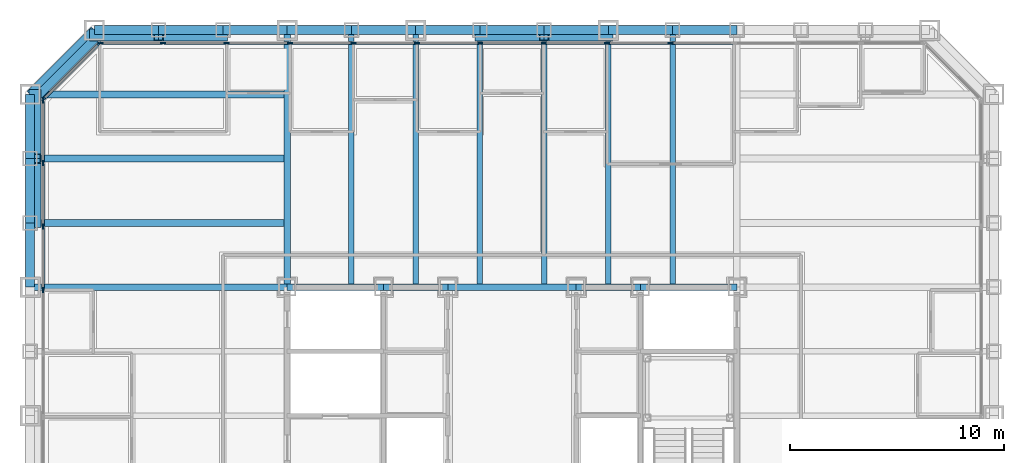
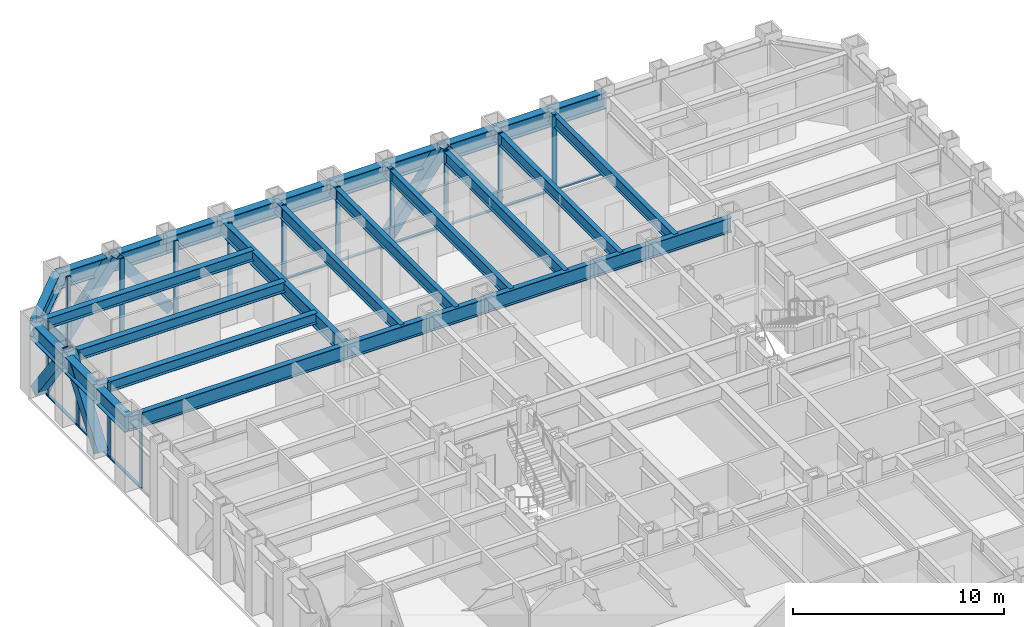
# One storey, part 5 of 16: 37 members, 30 beams, 3 elements without a shape of their own.
"""IFC4 building model written with IfcOpenShell, lengths in metres."""

from ifc_helpers import new_model, si_unit, direction, frame, origin, origin_2d, place, context, subcontext, project, spatial, rectangle, hollow_rectangle, i_section, extrude, material, layer, layer_set, material_profile, profile_set, type_object, element, aggregate, save


model = new_model("IFC4")

# Units and contexts
model_context = context("Model", 3, precision=1e-05, world=origin(), true_north=direction((0.0, 1.0)))
body_context = subcontext(model_context, "Body", "Model", "MODEL_VIEW")
ifc_project = project(units=[si_unit("LENGTHUNIT", "METRE"), si_unit("AREAUNIT", "SQUARE_METRE"), si_unit("VOLUMEUNIT", "CUBIC_METRE"), si_unit("PLANEANGLEUNIT", "RADIAN"), si_unit("MASSUNIT", "GRAM", prefix="KILO")], contexts=[model_context])

# Site, building, storey
site_placement = place(None, origin())
site = spatial("IfcSite", under=ifc_project, at=site_placement, CompositionType="ELEMENT")
building_placement = place(site_placement, origin())
building = spatial("IfcBuilding", under=site, at=building_placement, Name="Chuquiago Exchange Tower", CompositionType="ELEMENT")
storey_placement = place(building_placement, frame((0.0, 0.0, 51.300048828125)))
storey = spatial("IfcBuildingStorey", under=building, at=storey_placement, Name="L10", CompositionType="ELEMENT", Elevation=51.300048828125)

# Beams
ifc_material_1 = material(Name="Steel ASTM A992", Category="steel")
ifc_material_profile_1 = material_profile(ifc_material_1, i_section(OverallWidth=0.2919921875, OverallDepth=0.8583984375, WebThickness=0.01708984375, FlangeThickness=0.031005859375, at=origin_2d()), Name="W33X169")
ifc_profile_set_1 = profile_set([ifc_material_profile_1], Name="Steel ASTM A992")
beam_type_1 = type_object("IfcBeamType", Name="B3 W33X169", PredefinedType="BEAM", material=ifc_profile_set_1)
beam_1_placement = place(storey_placement, frame((12.0, 33.0, 3.610595703125), z_axis=(1.0, 0.0, 0.0), x_axis=(0.0, 1.0, 0.0)))
element("IfcBeam", 1, at=beam_1_placement, inside=storey, type_object=beam_type_1, Name="CB-L11-12_33-16.5_33", PredefinedType="BEAM", context=body_context, shape_type="SweptSolid", body=[
    extrude(i_section(OverallWidth=0.2919921875, OverallDepth=0.8583984375, WebThickness=0.01708984375, FlangeThickness=0.031005859375, at=origin_2d()), origin(), (0.0, 0.0, 1.0), 4.5),
])
beam_2_placement = place(storey_placement, frame((16.5, 33.0, 3.610595703125), z_axis=(1.0, 0.0, 0.0), x_axis=(0.0, 1.0, 0.0)))
element("IfcBeam", 2, at=beam_2_placement, inside=storey, type_object=beam_type_1, Name="CB-L11-16.5_33-19.5_33", PredefinedType="BEAM", context=body_context, shape_type="SweptSolid", body=[
    extrude(i_section(OverallWidth=0.2919921875, OverallDepth=0.8583984375, WebThickness=0.01708984375, FlangeThickness=0.031005859375, at=origin_2d()), origin(), (0.0, 0.0, 1.0), 3.0),
])
beam_3_placement = place(storey_placement, frame((19.5, 33.0, 3.610595703125), z_axis=(1.0, 0.0, 0.0), x_axis=(0.0, 1.0, 0.0)))
element("IfcBeam", 3, at=beam_3_placement, inside=storey, type_object=beam_type_1, Name="CB-L11-19.5_33-25.5_33", PredefinedType="BEAM", context=body_context, shape_type="SweptSolid", body=[
    extrude(i_section(OverallWidth=0.2919921875, OverallDepth=0.8583984375, WebThickness=0.01708984375, FlangeThickness=0.031005859375, at=origin_2d()), origin(), (0.0, 0.0, 1.0), 6.0),
])
beam_4_placement = place(storey_placement, frame((25.5, 33.0, 3.610595703125), z_axis=(1.0, 0.0, 0.0), x_axis=(0.0, 1.0, 0.0)))
element("IfcBeam", 4, at=beam_4_placement, inside=storey, type_object=beam_type_1, Name="CB-L11-25.5_33-28.5_33", PredefinedType="BEAM", context=body_context, shape_type="SweptSolid", body=[
    extrude(i_section(OverallWidth=0.2919921875, OverallDepth=0.8583984375, WebThickness=0.01708984375, FlangeThickness=0.031005859375, at=origin_2d()), origin(), (0.0, 0.0, 1.0), 3.0),
])
beam_5_placement = place(storey_placement, frame((28.5, 33.0, 3.610595703125), z_axis=(1.0, 0.0, 0.0), x_axis=(0.0, 1.0, 0.0)))
element("IfcBeam", 5, at=beam_5_placement, inside=storey, type_object=beam_type_1, Name="CB-L11-28.5_33-33_33", PredefinedType="BEAM", context=body_context, shape_type="SweptSolid", body=[
    extrude(i_section(OverallWidth=0.2919921875, OverallDepth=0.8583984375, WebThickness=0.01708984375, FlangeThickness=0.031005859375, at=origin_2d()), origin(), (0.0, 0.0, 1.0), 4.5),
])
ifc_material_2 = material(Name="Steel ASTM A992", Category="steel")
ifc_material_profile_2 = material_profile(ifc_material_2, i_section(OverallWidth=0.256591796875, OverallDepth=0.693359375, WebThickness=0.014404296875, FlangeThickness=0.023681640625, at=origin_2d()), Name="W27X114")
ifc_profile_set_2 = profile_set([ifc_material_profile_2], Name="Steel ASTM A992")
beam_type_2 = type_object("IfcBeamType", Name="B4 W27X114", PredefinedType="BEAM", material=ifc_profile_set_2)
for number, where, z_axis, x_axis, name in (
    (6, (15.0, 33.0, 3.693359375), (0.0, 1.0, 0.0), (-1.0, 0.0, 0.0), "FB-L11-infill-15_33-15_45-0"),
    (7, (18.0, 33.0, 3.693359375), (0.0, 1.0, 0.0), (-1.0, 0.0, 0.0), "FB-L11-infill-18_33-18_45-0"),
    (8, (21.0, 33.0, 3.693359375), (0.0, 1.0, 0.0), (-1.0, 0.0, 0.0), "FB-L11-infill-21_33-21_45-0"),
    (9, (24.0, 33.0, 3.693359375), (0.0, 1.0, 0.0), (-1.0, 0.0, 0.0), "FB-L11-infill-24_33-24_45-0"),
    (10, (27.0, 33.0, 3.693359375), (0.0, 1.0, 0.0), (-1.0, 0.0, 0.0), "FB-L11-infill-27_33-27_45-0"),
    (11, (30.0, 33.0, 3.693359375), (0.0, 1.0, 0.0), (-1.0, 0.0, 0.0), "FB-L11-infill-30_33-30_45-0"),
):
    element("IfcBeam", number, at=place(storey_placement, frame(where, z_axis=z_axis, x_axis=x_axis)), inside=storey, type_object=beam_type_2, Name=name, PredefinedType="BEAM", context=body_context, shape_type="SweptSolid", body=[
        extrude(i_section(OverallWidth=0.256591796875, OverallDepth=0.693359375, WebThickness=0.014404296875, FlangeThickness=0.023681640625, at=origin_2d()), origin(), (0.0, 0.0, 1.0), 12.0),
    ])
ifc_material_3 = material(Name="Steel ASTM A992", Category="steel")
ifc_material_profile_3 = material_profile(ifc_material_3, i_section(OverallWidth=0.3251953125, OverallDepth=0.6171875, WebThickness=0.013916015625, FlangeThickness=0.021484375, at=origin_2d()), Name="W24X117")
ifc_profile_set_3 = profile_set([ifc_material_profile_3], Name="Steel ASTM A992")
beam_type_3 = type_object("IfcBeamType", Name="B5 W24X117", PredefinedType="BEAM", material=ifc_profile_set_3)
for number, where, z_axis, x_axis, name in (
    (12, (12.0, 36.0, 3.7314453125), (-1.0, 0.0, 0.0), (0.0, -1.0, 0.0), "FB-L11-corner-12_36--0_36-0"),
    (13, (12.0, 39.0, 3.7314453125), (-1.0, 0.0, 0.0), (0.0, -1.0, 0.0), "FB-L11-corner-12_39--0_39-0"),
    (14, (12.0, 42.0, 3.7314453125), (-1.0, 0.0, 0.0), (0.0, -1.0, 0.0), "FB-L11-corner-12_42--0_42-0"),
):
    element("IfcBeam", number, at=place(storey_placement, frame(where, z_axis=z_axis, x_axis=x_axis)), inside=storey, type_object=beam_type_3, Name=name, PredefinedType="BEAM", context=body_context, shape_type="SweptSolid", body=[
        extrude(i_section(OverallWidth=0.3251953125, OverallDepth=0.6171875, WebThickness=0.013916015625, FlangeThickness=0.021484375, at=origin_2d()), origin(), (0.0, 0.0, 1.0), 12.0),
    ])

# Curtain wall, members
ifc_material_4 = material(Name="Aluminium curtain wall system", Category="aluminium")
ifc_layer_1 = layer(ifc_material_4, 0.25)
ifc_layer_set_1 = layer_set([ifc_layer_1], Name="CW1 trading floor curtain wall")
curtain_wall_type_1 = type_object("IfcCurtainWallType", Name="CW1 trading floor curtain wall", PredefinedType="NOTDEFINED", material=ifc_layer_set_1)
curtain_wall_1_placement = place(storey_placement, origin())
curtain_wall_1 = element("IfcCurtainWall", 15, at=curtain_wall_1_placement, inside=storey, type_object=curtain_wall_type_1, Name="CW1 curtain wall L10", PredefinedType="NOTDEFINED")
ifc_material_5 = material(Name="Aluminium mullion, pale anodised", Category="aluminium")
ifc_material_profile_4 = material_profile(ifc_material_5, rectangle(XDim=0.074951171875, YDim=0.25, at=origin_2d()), Name="AL 75x250")
ifc_profile_set_4 = profile_set([ifc_material_profile_4], Name="Aluminium mullion, pale anodised")
member_type_1 = type_object("IfcMemberType", Name="CW1-M mullion 75x250", PredefinedType="MULLION", material=ifc_profile_set_4)
member_1_placement = place(storey_placement, frame((29.904541015625, 44.39990234375, -0.300048828125), z_axis=(0.0, 0.0, 1.0), x_axis=(0.0, -1.0, 0.0)))
member_1 = element("IfcMember", 16, at=member_1_placement, type_object=member_type_1, Name="CW1 mullion 5", PredefinedType="MULLION", context=body_context, shape_type="SweptSolid", body=[
    extrude(rectangle(XDim=0.074951171875, YDim=0.25, at=origin_2d()), origin(), (0.0, 0.0, 1.0), 4.340087890625),
])
member_2_placement = place(storey_placement, frame((26.942626953125, 44.39990234375, -0.300048828125), z_axis=(0.0, 0.0, 1.0), x_axis=(0.0, -1.0, 0.0)))
member_2 = element("IfcMember", 17, at=member_2_placement, type_object=member_type_1, Name="CW1 mullion 6", PredefinedType="MULLION", context=body_context, shape_type="SweptSolid", body=[
    extrude(rectangle(XDim=0.074951171875, YDim=0.25, at=origin_2d()), origin(), (0.0, 0.0, 1.0), 4.340087890625),
])
member_3_placement = place(storey_placement, frame((23.98095703125, 44.39990234375, -0.300048828125), z_axis=(0.0, 0.0, 1.0), x_axis=(0.0, -1.0, 0.0)))
member_3 = element("IfcMember", 18, at=member_3_placement, type_object=member_type_1, Name="CW1 mullion 7", PredefinedType="MULLION", context=body_context, shape_type="SweptSolid", body=[
    extrude(rectangle(XDim=0.074951171875, YDim=0.25, at=origin_2d()), origin(), (0.0, 0.0, 1.0), 4.340087890625),
])
member_4_placement = place(storey_placement, frame((21.01904296875, 44.39990234375, -0.300048828125), z_axis=(0.0, 0.0, 1.0), x_axis=(0.0, -1.0, 0.0)))
member_4 = element("IfcMember", 19, at=member_4_placement, type_object=member_type_1, Name="CW1 mullion 8", PredefinedType="MULLION", context=body_context, shape_type="SweptSolid", body=[
    extrude(rectangle(XDim=0.074951171875, YDim=0.25, at=origin_2d()), origin(), (0.0, 0.0, 1.0), 4.340087890625),
])
member_5_placement = place(storey_placement, frame((18.057373046875, 44.39990234375, -0.300048828125), z_axis=(0.0, 0.0, 1.0), x_axis=(0.0, -1.0, 0.0)))
member_5 = element("IfcMember", 20, at=member_5_placement, type_object=member_type_1, Name="CW1 mullion 9", PredefinedType="MULLION", context=body_context, shape_type="SweptSolid", body=[
    extrude(rectangle(XDim=0.074951171875, YDim=0.25, at=origin_2d()), origin(), (0.0, 0.0, 1.0), 4.340087890625),
])
member_6_placement = place(storey_placement, frame((15.095458984375, 44.39990234375, -0.300048828125), z_axis=(0.0, 0.0, 1.0), x_axis=(0.0, -1.0, 0.0)))
member_6 = element("IfcMember", 21, at=member_6_placement, type_object=member_type_1, Name="CW1 mullion 10", PredefinedType="MULLION", context=body_context, shape_type="SweptSolid", body=[
    extrude(rectangle(XDim=0.074951171875, YDim=0.25, at=origin_2d()), origin(), (0.0, 0.0, 1.0), 4.340087890625),
])
member_7_placement = place(storey_placement, frame((12.1337890625, 44.39990234375, -0.300048828125), z_axis=(0.0, 0.0, 1.0), x_axis=(0.0, -1.0, 0.0)))
member_7 = element("IfcMember", 22, at=member_7_placement, type_object=member_type_1, Name="CW1 mullion 11", PredefinedType="MULLION", context=body_context, shape_type="SweptSolid", body=[
    extrude(rectangle(XDim=0.074951171875, YDim=0.25, at=origin_2d()), origin(), (0.0, 0.0, 1.0), 4.340087890625),
])
member_8_placement = place(storey_placement, frame((9.172119140625, 44.39990234375, -0.300048828125), z_axis=(0.0, 0.0, 1.0), x_axis=(0.0, -1.0, 0.0)))
member_8 = element("IfcMember", 23, at=member_8_placement, type_object=member_type_1, Name="CW1 mullion 12", PredefinedType="MULLION", context=body_context, shape_type="SweptSolid", body=[
    extrude(rectangle(XDim=0.074951171875, YDim=0.25, at=origin_2d()), origin(), (0.0, 0.0, 1.0), 4.340087890625),
])
member_9_placement = place(storey_placement, frame((6.210205078125, 44.39990234375, -0.300048828125), z_axis=(0.0, 0.0, 1.0), x_axis=(0.0, -1.0, 0.0)))
member_9 = element("IfcMember", 24, at=member_9_placement, type_object=member_type_1, Name="CW1 mullion 13", PredefinedType="MULLION", context=body_context, shape_type="SweptSolid", body=[
    extrude(rectangle(XDim=0.074951171875, YDim=0.25, at=origin_2d()), origin(), (0.0, 0.0, 1.0), 4.340087890625),
])
member_10_placement = place(storey_placement, frame((3.285888671875, 44.39990234375, -0.300048828125), z_axis=(0.0, 0.0, 1.0), x_axis=(0.0, -1.0, 0.0)))
member_10 = element("IfcMember", 25, at=member_10_placement, type_object=member_type_1, Name="CW1 mullion 14", PredefinedType="MULLION", context=body_context, shape_type="SweptSolid", body=[
    extrude(rectangle(XDim=0.074951171875, YDim=0.25, at=origin_2d()), origin(), (0.0, 0.0, 1.0), 4.340087890625),
])

curtain_wall_2_placement = place(storey_placement, origin())
curtain_wall_2 = element("IfcCurtainWall", 26, at=curtain_wall_2_placement, inside=storey, type_object=curtain_wall_type_1, Name="CW1 curtain wall L10", PredefinedType="NOTDEFINED")
member_11_placement = place(storey_placement, frame((0.60009765625, 41.714111328125, -0.300048828125), z_axis=(0.0, 0.0, 1.0), x_axis=(1.0, 0.0, 0.0)))
member_11 = element("IfcMember", 27, at=member_11_placement, type_object=member_type_1, Name="CW1 mullion 1", PredefinedType="MULLION", context=body_context, shape_type="SweptSolid", body=[
    extrude(rectangle(XDim=0.074951171875, YDim=0.25, at=origin_2d()), origin(), (0.0, 0.0, 1.0), 4.340087890625),
])
member_12_placement = place(storey_placement, frame((0.60009765625, 38.789794921875, -0.300048828125), z_axis=(0.0, 0.0, 1.0), x_axis=(1.0, 0.0, 0.0)))
member_12 = element("IfcMember", 28, at=member_12_placement, type_object=member_type_1, Name="CW1 mullion 2", PredefinedType="MULLION", context=body_context, shape_type="SweptSolid", body=[
    extrude(rectangle(XDim=0.074951171875, YDim=0.25, at=origin_2d()), origin(), (0.0, 0.0, 1.0), 4.340087890625),
])
member_13_placement = place(storey_placement, frame((0.60009765625, 35.827880859375, -0.300048828125), z_axis=(0.0, 0.0, 1.0), x_axis=(1.0, 0.0, 0.0)))
member_13 = element("IfcMember", 29, at=member_13_placement, type_object=member_type_1, Name="CW1 mullion 3", PredefinedType="MULLION", context=body_context, shape_type="SweptSolid", body=[
    extrude(rectangle(XDim=0.074951171875, YDim=0.25, at=origin_2d()), origin(), (0.0, 0.0, 1.0), 4.340087890625),
])
member_14_placement = place(storey_placement, frame((0.60009765625, 32.8662109375, -0.300048828125), z_axis=(0.0, 0.0, 1.0), x_axis=(1.0, 0.0, 0.0)))
member_14 = element("IfcMember", 30, at=member_14_placement, type_object=member_type_1, Name="CW1 mullion 4", PredefinedType="MULLION", context=body_context, shape_type="SweptSolid", body=[
    extrude(rectangle(XDim=0.074951171875, YDim=0.25, at=origin_2d()), origin(), (0.0, 0.0, 1.0), 4.340087890625),
])

# Member
ifc_material_6 = material(Name="Aluminium transom, pale anodised", Category="aluminium")
ifc_material_profile_5 = material_profile(ifc_material_6, rectangle(XDim=0.14990234375, YDim=0.074951171875, at=origin_2d()), Name="AL 150x75")
ifc_profile_set_5 = profile_set([ifc_material_profile_5], Name="Aluminium transom, pale anodised")
member_type_2 = type_object("IfcMemberType", Name="CW1-T transom 75x150", PredefinedType="MULLION", material=ifc_profile_set_5)
member_15_placement = place(storey_placement, frame((32.82861328125, 44.39990234375, -0.262451171875), z_axis=(-1.0, 0.0, 0.0), x_axis=(0.0, -1.0, 0.0)))
member_15 = element("IfcMember", 31, at=member_15_placement, type_object=member_type_2, Name="CW1 transom 4.1", PredefinedType="MULLION", context=body_context, shape_type="SweptSolid", body=[
    extrude(rectangle(XDim=0.14990234375, YDim=0.074951171875, at=origin_2d()), origin(), (0.0, 0.0, 1.0), 2.88671875),
])

member_16_placement = place(storey_placement, frame((29.866943359375, 44.39990234375, -0.262451171875), z_axis=(-1.0, 0.0, 0.0), x_axis=(0.0, -1.0, 0.0)))
member_16 = element("IfcMember", 32, at=member_16_placement, type_object=member_type_2, Name="CW1 transom 5.1", PredefinedType="MULLION", context=body_context, shape_type="SweptSolid", body=[
    extrude(rectangle(XDim=0.14990234375, YDim=0.074951171875, at=origin_2d()), origin(), (0.0, 0.0, 1.0), 2.88671875),
])

member_17_placement = place(storey_placement, frame((26.9052734375, 44.39990234375, -0.262451171875), z_axis=(-1.0, 0.0, 0.0), x_axis=(0.0, -1.0, 0.0)))
member_17 = element("IfcMember", 33, at=member_17_placement, type_object=member_type_2, Name="CW1 transom 6.1", PredefinedType="MULLION", context=body_context, shape_type="SweptSolid", body=[
    extrude(rectangle(XDim=0.14990234375, YDim=0.074951171875, at=origin_2d()), origin(), (0.0, 0.0, 1.0), 2.886962890625),
])

member_18_placement = place(storey_placement, frame((23.943359375, 44.39990234375, -0.262451171875), z_axis=(-1.0, 0.0, 0.0), x_axis=(0.0, -1.0, 0.0)))
member_18 = element("IfcMember", 34, at=member_18_placement, type_object=member_type_2, Name="CW1 transom 7.1", PredefinedType="MULLION", context=body_context, shape_type="SweptSolid", body=[
    extrude(rectangle(XDim=0.14990234375, YDim=0.074951171875, at=origin_2d()), origin(), (0.0, 0.0, 1.0), 2.88671875),
])

member_19_placement = place(storey_placement, frame((20.981689453125, 44.39990234375, -0.262451171875), z_axis=(-1.0, 0.0, 0.0), x_axis=(0.0, -1.0, 0.0)))
member_19 = element("IfcMember", 35, at=member_19_placement, type_object=member_type_2, Name="CW1 transom 8.1", PredefinedType="MULLION", context=body_context, shape_type="SweptSolid", body=[
    extrude(rectangle(XDim=0.14990234375, YDim=0.074951171875, at=origin_2d()), origin(), (0.0, 0.0, 1.0), 2.886962890625),
])

member_20_placement = place(storey_placement, frame((18.019775390625, 44.39990234375, -0.262451171875), z_axis=(-1.0, 0.0, 0.0), x_axis=(0.0, -1.0, 0.0)))
member_20 = element("IfcMember", 36, at=member_20_placement, type_object=member_type_2, Name="CW1 transom 9.1", PredefinedType="MULLION", context=body_context, shape_type="SweptSolid", body=[
    extrude(rectangle(XDim=0.14990234375, YDim=0.074951171875, at=origin_2d()), origin(), (0.0, 0.0, 1.0), 2.88671875),
])

member_21_placement = place(storey_placement, frame((15.05810546875, 44.39990234375, -0.262451171875), z_axis=(-1.0, 0.0, 0.0), x_axis=(0.0, -1.0, 0.0)))
member_21 = element("IfcMember", 37, at=member_21_placement, type_object=member_type_2, Name="CW1 transom 10.1", PredefinedType="MULLION", context=body_context, shape_type="SweptSolid", body=[
    extrude(rectangle(XDim=0.14990234375, YDim=0.074951171875, at=origin_2d()), origin(), (0.0, 0.0, 1.0), 2.88671875),
])

member_22_placement = place(storey_placement, frame((12.09619140625, 44.39990234375, -0.262451171875), z_axis=(-1.0, 0.0, 0.0), x_axis=(0.0, -1.0, 0.0)))
member_22 = element("IfcMember", 38, at=member_22_placement, type_object=member_type_2, Name="CW1 transom 11.1", PredefinedType="MULLION", context=body_context, shape_type="SweptSolid", body=[
    extrude(rectangle(XDim=0.14990234375, YDim=0.074951171875, at=origin_2d()), origin(), (0.0, 0.0, 1.0), 2.88671875),
])

member_23_placement = place(storey_placement, frame((9.134521484375, 44.39990234375, -0.262451171875), z_axis=(-1.0, 0.0, 0.0), x_axis=(0.0, -1.0, 0.0)))
member_23 = element("IfcMember", 39, at=member_23_placement, type_object=member_type_2, Name="CW1 transom 12.1", PredefinedType="MULLION", context=body_context, shape_type="SweptSolid", body=[
    extrude(rectangle(XDim=0.14990234375, YDim=0.074951171875, at=origin_2d()), origin(), (0.0, 0.0, 1.0), 2.88671875),
])

member_24_placement = place(storey_placement, frame((6.1728515625, 44.39990234375, -0.262451171875), z_axis=(-1.0, 0.0, 0.0), x_axis=(0.0, -1.0, 0.0)))
member_24 = element("IfcMember", 40, at=member_24_placement, type_object=member_type_2, Name="CW1 transom 13.1", PredefinedType="MULLION", context=body_context, shape_type="SweptSolid", body=[
    extrude(rectangle(XDim=0.14990234375, YDim=0.074951171875, at=origin_2d()), origin(), (0.0, 0.0, 1.0), 2.849365234375),
])

aggregate(curtain_wall_1, [member_1, member_2, member_3, member_4, member_5, member_6, member_7, member_8, member_9, member_10, member_15, member_16, member_17, member_18, member_19, member_20, member_21, member_22, member_23, member_24])

member_25_placement = place(storey_placement, frame((0.60009765625, 41.676513671875, -0.262451171875), z_axis=(0.0, -1.0, 0.0), x_axis=(1.0, 0.0, 0.0)))
member_25 = element("IfcMember", 41, at=member_25_placement, type_object=member_type_2, Name="CW1 transom 1.1", PredefinedType="MULLION", context=body_context, shape_type="SweptSolid", body=[
    extrude(rectangle(XDim=0.14990234375, YDim=0.074951171875, at=origin_2d()), origin(), (0.0, 0.0, 1.0), 2.849365234375),
])

member_26_placement = place(storey_placement, frame((0.60009765625, 38.752197265625, -0.262451171875), z_axis=(0.0, -1.0, 0.0), x_axis=(1.0, 0.0, 0.0)))
member_26 = element("IfcMember", 42, at=member_26_placement, type_object=member_type_2, Name="CW1 transom 2.1", PredefinedType="MULLION", context=body_context, shape_type="SweptSolid", body=[
    extrude(rectangle(XDim=0.14990234375, YDim=0.074951171875, at=origin_2d()), origin(), (0.0, 0.0, 1.0), 2.88671875),
])

member_27_placement = place(storey_placement, frame((0.60009765625, 35.79052734375, -0.262451171875), z_axis=(0.0, -1.0, 0.0), x_axis=(1.0, 0.0, 0.0)))
member_27 = element("IfcMember", 43, at=member_27_placement, type_object=member_type_2, Name="CW1 transom 3.1", PredefinedType="MULLION", context=body_context, shape_type="SweptSolid", body=[
    extrude(rectangle(XDim=0.14990234375, YDim=0.074951171875, at=origin_2d()), origin(), (0.0, 0.0, 1.0), 2.88671875),
])

aggregate(curtain_wall_2, [member_11, member_12, member_13, member_14, member_25, member_26, member_27])

# Curtain wall, members
ifc_material_7 = material(Name="Aluminium curtain wall system", Category="aluminium")
ifc_layer_2 = layer(ifc_material_7, 0.199951171875)
ifc_layer_set_2 = layer_set([ifc_layer_2], Name="CW3 facet curtain wall")
curtain_wall_type_2 = type_object("IfcCurtainWallType", Name="CW3 facet curtain wall", PredefinedType="NOTDEFINED", material=ifc_layer_set_2)
curtain_wall_3_placement = place(storey_placement, origin())
curtain_wall_3 = element("IfcCurtainWall", 44, at=curtain_wall_3_placement, inside=storey, type_object=curtain_wall_type_2, Name="CW3 curtain wall L10", PredefinedType="NOTDEFINED")
ifc_material_8 = material(Name="Aluminium mullion, pale anodised", Category="aluminium")
ifc_material_profile_6 = material_profile(ifc_material_8, rectangle(XDim=0.06494140625, YDim=0.199951171875, at=origin_2d()), Name="AL 65x200")
ifc_profile_set_6 = profile_set([ifc_material_profile_6], Name="Aluminium mullion, pale anodised")
member_type_3 = type_object("IfcMemberType", Name="CW3-M mullion 65x200", PredefinedType="MULLION", material=ifc_profile_set_6)
member_28_placement = place(storey_placement, frame((3.2255859375, 44.376953125, -0.300048828125), z_axis=(0.0, 0.0, 1.0), x_axis=(0.707106781187, -0.707106781187, 0.0)))
member_28 = element("IfcMember", 45, at=member_28_placement, type_object=member_type_3, Name="CW3 mullion 1", PredefinedType="MULLION", context=body_context, shape_type="SweptSolid", body=[
    extrude(rectangle(XDim=0.06494140625, YDim=0.199951171875, at=origin_2d()), origin(), (0.0, 0.0, 1.0), 4.340087890625),
])
member_29_placement = place(storey_placement, frame((0.623046875, 41.7744140625, -0.300048828125), z_axis=(0.0, 0.0, 1.0), x_axis=(0.707106781187, -0.707106781187, 0.0)))
member_29 = element("IfcMember", 46, at=member_29_placement, type_object=member_type_3, Name="CW3 mullion 2", PredefinedType="MULLION", context=body_context, shape_type="SweptSolid", body=[
    extrude(rectangle(XDim=0.06494140625, YDim=0.199951171875, at=origin_2d()), origin(), (0.0, 0.0, 1.0), 4.340087890625),
])
ifc_material_9 = material(Name="Aluminium transom, pale anodised", Category="aluminium")
ifc_material_profile_7 = material_profile(ifc_material_9, rectangle(XDim=0.139892578125, YDim=0.06494140625, at=origin_2d()), Name="AL 140x65")
ifc_profile_set_7 = profile_set([ifc_material_profile_7], Name="Aluminium transom, pale anodised")
member_type_4 = type_object("IfcMemberType", Name="CW3-T transom 65x140", PredefinedType="MULLION", material=ifc_profile_set_7)
member_30_placement = place(storey_placement, frame((3.20263671875, 44.35400390625, -0.267578125), z_axis=(-0.707106781187, -0.707106781187, 0.0), x_axis=(0.707106781187, -0.707106781187, 0.0)))
member_30 = element("IfcMember", 47, at=member_30_placement, type_object=member_type_4, Name="CW3 transom 1.1", PredefinedType="MULLION", context=body_context, shape_type="SweptSolid", body=[
    extrude(rectangle(XDim=0.139892578125, YDim=0.06494140625, at=origin_2d()), origin(), (0.0, 0.0, 1.0), 3.61572265625),
])
aggregate(curtain_wall_3, [member_28, member_29, member_30])

# Beams
ifc_material_10 = material(Name="Steel ASTM A992", Category="steel")
ifc_material_profile_8 = material_profile(ifc_material_10, i_section(OverallWidth=0.2919921875, OverallDepth=0.8583984375, WebThickness=0.01708984375, FlangeThickness=0.031005859375, at=origin_2d()), Name="W33X169")
ifc_profile_set_8 = profile_set([ifc_material_profile_8], Name="Steel ASTM A992")
beam_type_4 = type_object("IfcBeamType", Name="G2 W33X169", PredefinedType="BEAM", material=ifc_profile_set_8)
for number, where, z_axis, x_axis, name in (
    (48, (12.0, 33.0, 3.610595703125), (0.0, 1.0, 0.0), (-1.0, 0.0, 0.0), "FB-L11-girder-12_33-12_45-0"),
    (49, (12.0, 33.0, 3.610595703125), (-1.0, 0.0, 0.0), (0.0, -1.0, 0.0), "FB-L11-girder-12_33--0_33-0"),
):
    element("IfcBeam", number, at=place(storey_placement, frame(where, z_axis=z_axis, x_axis=x_axis)), inside=storey, type_object=beam_type_4, Name=name, PredefinedType="BEAM", context=body_context, shape_type="SweptSolid", body=[
        extrude(i_section(OverallWidth=0.2919921875, OverallDepth=0.8583984375, WebThickness=0.01708984375, FlangeThickness=0.031005859375, at=origin_2d()), origin(), (0.0, 0.0, 1.0), 12.0),
    ])

# Members
ifc_material_11 = material(Name="Steel ASTM A500 Grade C", Category="steel")
ifc_material_profile_9 = material_profile(ifc_material_11, hollow_rectangle(XDim=0.406494140625, YDim=0.406494140625, WallThickness=0.0146484375, at=origin_2d()), Name="HSS16X16X5/8")
ifc_profile_set_9 = profile_set([ifc_material_profile_9], Name="Steel ASTM A500 Grade C")
member_type_5 = type_object("IfcMemberType", Name="LB4 HSS16X16X5/8", PredefinedType="BRACE", material=ifc_profile_set_9)
member_31_placement = place(storey_placement, frame((3.21337890625, 44.78662109375, 0.0), z_axis=(-0.512077265487, -0.512077265487, 0.689604051861), x_axis=(0.707106781187, -0.707106781187, 0.0)))
element("IfcMember", 50, at=member_31_placement, inside=storey, type_object=member_type_5, Name="LB-L10-3_45-0_42", PredefinedType="BRACE", context=body_context, shape_type="SweptSolid", body=[
    extrude(hollow_rectangle(XDim=0.406494140625, YDim=0.406494140625, WallThickness=0.0146484375, at=origin_2d()), origin(), (0.0, 0.0, 1.0), 5.8583984375),
])
ifc_material_12 = material(Name="Steel ASTM A572 Grade 50", Category="steel")
ifc_material_profile_10 = material_profile(ifc_material_12, hollow_rectangle(XDim=0.550048828125, YDim=0.550048828125, WallThickness=0.044921875, at=origin_2d()), Name="BOX550X550X45")
ifc_profile_set_10 = profile_set([ifc_material_profile_10], Name="Steel ASTM A572 Grade 50")
member_type_6 = type_object("IfcMemberType", Name="MB1 BOX550X550X45", PredefinedType="BRACE", material=ifc_profile_set_10)
for number, where, z_axis, x_axis, name in (
    (51, (27.0, 44.77001953125, 0.0), (-0.596173923302, 0.0, 0.802855312728), (0.0, -1.0, 0.0), "Mega diagonal L10 N face"),
    (52, (21.0, 44.77001953125, 0.0), (0.596173923302, 0.0, 0.802855312728), (0.0, 1.0, 0.0), "Mega diagonal L10 N face"),
    (53, (9.0, 44.77001953125, 0.0), (-0.596173923302, 0.0, 0.802855312728), (0.0, -1.0, 0.0), "Mega diagonal L10 N face"),
    (54, (3.0, 44.77001953125, 0.0), (0.596173923302, 0.0, 0.802855312728), (0.0, 1.0, 0.0), "Mega diagonal L10 N face"),
    (55, (0.22998046875, 42.0, 0.0), (0.0, -0.596173923302, 0.802855312728), (1.0, 0.0, 0.0), "Mega diagonal L10 W face"),
    (56, (0.22998046875, 36.0, 0.0), (0.0, 0.596173923302, 0.802855312728), (-1.0, 0.0, 0.0), "Mega diagonal L10 W face"),
):
    element("IfcMember", number, at=place(storey_placement, frame(where, z_axis=z_axis, x_axis=x_axis)), inside=storey, type_object=member_type_6, Name=name, PredefinedType="BRACE", context=body_context, shape_type="SweptSolid", body=[
        extrude(hollow_rectangle(XDim=0.550048828125, YDim=0.550048828125, WallThickness=0.044921875, at=origin_2d()), origin(), (0.0, 0.0, 1.0), 5.031982421875),
    ])

# Beams
ifc_material_13 = material(Name="Steel ASTM A992", Category="steel")
ifc_material_profile_11 = material_profile(ifc_material_13, i_section(OverallWidth=0.424072265625, OverallDepth=0.947509765625, WebThickness=0.02392578125, FlangeThickness=0.042724609375, at=origin_2d()), Name="W36X302")
ifc_profile_set_11 = profile_set([ifc_material_profile_11], Name="Steel ASTM A992")
beam_type_5 = type_object("IfcBeamType", Name="SP1 W36X302", PredefinedType="SPANDREL", material=ifc_profile_set_11)
for number, where, z_axis, x_axis, name in (
    (57, (33.0, 45.0, 3.566162109375), (-1.0, 0.0, 0.0), (0.0, -1.0, 0.0), "SPB-L11-33_45-30_45"),
    (58, (30.0, 45.0, 3.566162109375), (-1.0, 0.0, 0.0), (0.0, -1.0, 0.0), "SPB-L11-30_45-27_45"),
    (59, (27.0, 45.0, 3.566162109375), (-1.0, 0.0, 0.0), (0.0, -1.0, 0.0), "SPB-L11-27_45-24_45"),
    (60, (24.0, 45.0, 3.566162109375), (-1.0, 0.0, 0.0), (0.0, -1.0, 0.0), "SPB-L11-24_45-21_45"),
    (61, (21.0, 45.0, 3.566162109375), (-1.0, 0.0, 0.0), (0.0, -1.0, 0.0), "SPB-L11-21_45-18_45"),
    (62, (18.0, 45.0, 3.566162109375), (-1.0, 0.0, 0.0), (0.0, -1.0, 0.0), "SPB-L11-18_45-15_45"),
    (63, (15.0, 45.0, 3.566162109375), (-1.0, 0.0, 0.0), (0.0, -1.0, 0.0), "SPB-L11-15_45-12_45"),
    (64, (12.0, 45.0, 3.566162109375), (-1.0, 0.0, 0.0), (0.0, -1.0, 0.0), "SPB-L11-12_45-9_45"),
    (65, (9.0, 45.0, 3.566162109375), (-1.0, 0.0, 0.0), (0.0, -1.0, 0.0), "SPB-L11-9_45-6_45"),
    (66, (6.0, 45.0, 3.566162109375), (-1.0, 0.0, 0.0), (0.0, -1.0, 0.0), "SPB-L11-6_45-3_45"),
):
    element("IfcBeam", number, at=place(storey_placement, frame(where, z_axis=z_axis, x_axis=x_axis)), inside=storey, type_object=beam_type_5, Name=name, PredefinedType="SPANDREL", context=body_context, shape_type="SweptSolid", body=[
        extrude(i_section(OverallWidth=0.424072265625, OverallDepth=0.947509765625, WebThickness=0.02392578125, FlangeThickness=0.042724609375, at=origin_2d()), origin(), (0.0, 0.0, 1.0), 3.0),
    ])
beam_6_placement = place(storey_placement, frame((3.0, 45.0, 3.566162109375), z_axis=(-0.707106781187, -0.707106781187, 0.0), x_axis=(0.707106781187, -0.707106781187, 0.0)))
element("IfcBeam", 67, at=beam_6_placement, inside=storey, type_object=beam_type_5, Name="SPB-L11-3_45-0_42", PredefinedType="SPANDREL", context=body_context, shape_type="SweptSolid", body=[
    extrude(i_section(OverallWidth=0.424072265625, OverallDepth=0.947509765625, WebThickness=0.02392578125, FlangeThickness=0.042724609375, at=origin_2d()), origin(), (0.0, 0.0, 1.0), 4.24267578125),
])
for number, where, z_axis, x_axis, name in (
    (68, (0.0, 42.0, 3.566162109375), (0.0, -1.0, 0.0), (1.0, 0.0, 0.0), "SPB-L11-0_42-0_39"),
    (69, (0.0, 39.0, 3.566162109375), (0.0, -1.0, 0.0), (1.0, 0.0, 0.0), "SPB-L11-0_39-0_36"),
    (70, (0.0, 36.0, 3.566162109375), (0.0, -1.0, 0.0), (1.0, 0.0, 0.0), "SPB-L11-0_36-0_33"),
):
    element("IfcBeam", number, at=place(storey_placement, frame(where, z_axis=z_axis, x_axis=x_axis)), inside=storey, type_object=beam_type_5, Name=name, PredefinedType="SPANDREL", context=body_context, shape_type="SweptSolid", body=[
        extrude(i_section(OverallWidth=0.424072265625, OverallDepth=0.947509765625, WebThickness=0.02392578125, FlangeThickness=0.042724609375, at=origin_2d()), origin(), (0.0, 0.0, 1.0), 3.0),
    ])

save(model, "model.ifc")
